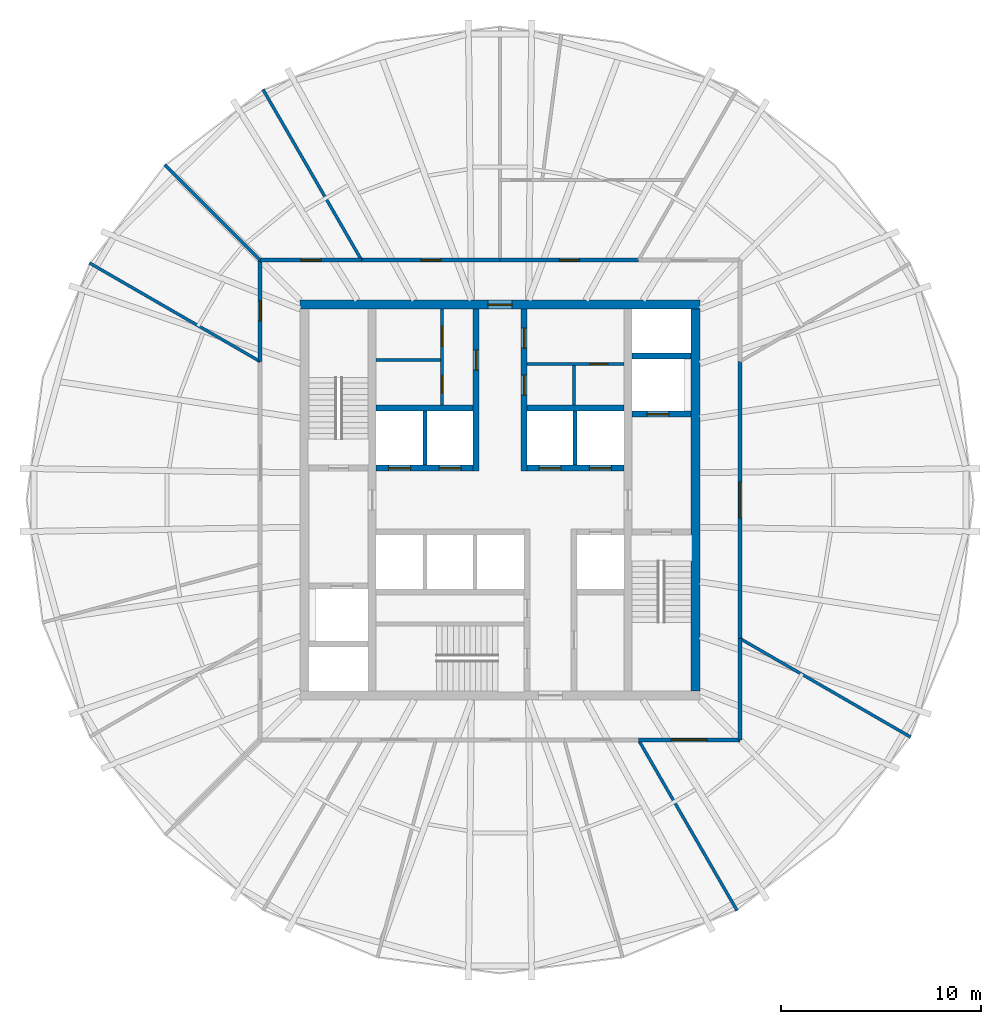
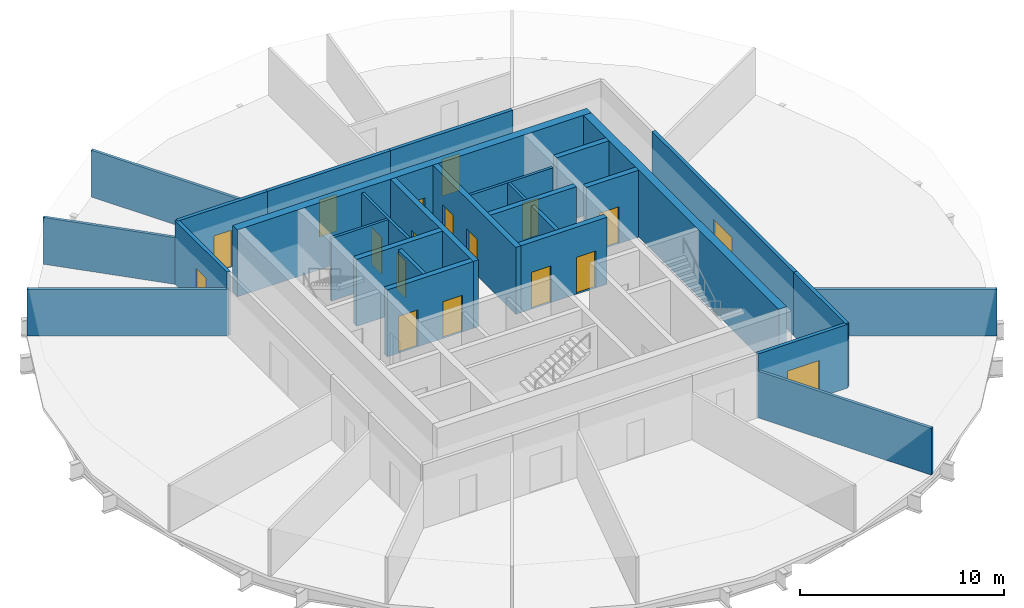
# One storey, part 4 of 6: 28 walls, 18 doors, 18 openings.
"""IFC4 building model written with IfcOpenShell, lengths in metres."""

import ifcopenshell
import ifcopenshell.guid

model = None  # the IFC model being written
_history = None  # IfcOwnerHistory: only IFC2X3 demands one
_inside = {}  # id of a spatial element -> (the spatial element, [elements in it])
_under = {}  # id of a project, library or spatial element -> (it, [spatial elements below it])
_declared = {}  # id of a project -> (the project, [libraries it declares])
_typed = {}  # id of a type object -> (the type object, [elements of that type])
_made_of = {}  # id of a material, layer set ... -> (it, [elements and type objects made of it])


def new_model(schema):
    """Start an empty IFC model of exactly this schema.

    Asked for "IFC4X3", IfcOpenShell would pick the latest addendum, in which some entities
    have other attributes; the version numbers below select the first issue.
    IFC2X3 requires an IfcOwnerHistory on every rooted entity: one is made here for all.
    """
    global model, _history
    if schema == "IFC4X3":
        model = ifcopenshell.file(schema_version=(4, 3, 0, 0))
    else:
        model = ifcopenshell.file(schema=schema)
    _inside.clear()
    _under.clear()
    _declared.clear()
    _typed.clear()
    _made_of.clear()
    _history = None
    if model.schema == "IFC2X3":
        org = make("IfcOrganization", Name="unknown")
        user = make(
            "IfcPersonAndOrganization",
            ThePerson=make("IfcPerson", FamilyName="unknown"),
            TheOrganization=org,
        )
        app = make(
            "IfcApplication",
            ApplicationDeveloper=org,
            Version="unknown",
            ApplicationFullName="unknown",
            ApplicationIdentifier="unknown",
        )
        _history = make(
            "IfcOwnerHistory",
            OwningUser=user,
            OwningApplication=app,
            ChangeAction="ADDED",
            CreationDate=0,
        )
    return model


def make(cls, **values):
    """One entity of the class cls with the attributes given. An attribute that is None is left unset."""
    return model.create_entity(
        cls, **{name: value for name, value in values.items() if value is not None}
    )


def rooted(cls, **values):
    """An entity with a GlobalId (a new one), such as an element, a storey or a relation."""
    return make(cls, GlobalId=ifcopenshell.guid.new(), OwnerHistory=_history, **values)


def si_unit(unit_type, name, prefix=None):
    """IfcSIUnit, for example si_unit("LENGTHUNIT", "METRE", prefix="MILLI")."""
    return make("IfcSIUnit", UnitType=unit_type, Prefix=prefix, Name=name)


def assignment(units):
    """IfcUnitAssignment: the units of a project."""
    return None if units is None else make("IfcUnitAssignment", Units=units)


def point(xyz):
    """IfcCartesianPoint."""
    return None if xyz is None else make("IfcCartesianPoint", Coordinates=xyz)


def direction(xyz):
    """IfcDirection."""
    return None if xyz is None else make("IfcDirection", DirectionRatios=xyz)


def frame(location, z_axis=None, x_axis=None):
    """IfcAxis2Placement3D, a coordinate frame: its origin and axes. An axis left out is left unset."""
    return make(
        "IfcAxis2Placement3D",
        Location=point(location),
        Axis=direction(z_axis),
        RefDirection=direction(x_axis),
    )


def frame_2d(location, x_axis=None):
    """IfcAxis2Placement2D, a coordinate frame in the plane: its origin and x axis."""
    return make(
        "IfcAxis2Placement2D", Location=point(location), RefDirection=direction(x_axis)
    )


def origin():
    """The frame at (0, 0, 0) with its axes left unset."""
    return frame((0.0, 0.0, 0.0))


def place(relative_to, where):
    """IfcLocalPlacement: puts the frame where relative to a parent placement (None: the world)."""
    return make(
        "IfcLocalPlacement", PlacementRelTo=relative_to, RelativePlacement=where
    )


def context(
    kind, dimensions, precision=None, world=None, true_north=None, identifier=None
):
    """IfcGeometricRepresentationContext, for example the 3D "Model" context."""
    return make(
        "IfcGeometricRepresentationContext",
        ContextIdentifier=identifier,
        ContextType=kind,
        CoordinateSpaceDimension=dimensions,
        Precision=precision,
        WorldCoordinateSystem=world,
        TrueNorth=true_north,
    )


def subcontext(parent, identifier, kind, view, scale=None):
    """IfcGeometricRepresentationSubContext, for example "Body" below "Model"."""
    return make(
        "IfcGeometricRepresentationSubContext",
        ContextIdentifier=identifier,
        ContextType=kind,
        ParentContext=parent,
        TargetScale=scale,
        TargetView=view,
    )


def project(units=None, contexts=None):
    """IfcProject with its units and contexts."""
    return rooted(
        "IfcProject",
        Name="project",
        RepresentationContexts=contexts,
        UnitsInContext=assignment(units),
    )


def spatial(cls, under=None, at=None, **own):
    """A site, building, storey or space (cls), placed at a placement, below another one or the project."""
    s = rooted(cls, ObjectPlacement=at, **own)
    if under is not None:
        _under.setdefault(under.id(), (under, []))[1].append(s)
    return s


def profile(cls, at=None, kind="AREA", **sizes):
    """A parametric profile (cls). Its sizes go by their IFC names, for example OverallWidth=200.0."""
    return make(cls, ProfileType=kind, Position=at, **sizes)


def rectangle(**sizes):
    """IfcRectangleProfileDef."""
    return profile("IfcRectangleProfileDef", **sizes)


def extrude(swept, where, along, depth):
    """IfcExtrudedAreaSolid: the profile swept, set in the frame where, extruded along a direction by depth."""
    return make(
        "IfcExtrudedAreaSolid",
        SweptArea=swept,
        Position=where,
        ExtrudedDirection=direction(along),
        Depth=depth,
    )


def shape(context_of_items, identifier, shape_type, items):
    """IfcShapeRepresentation: the items that make up one representation, for example the "Body"."""
    return make(
        "IfcShapeRepresentation",
        ContextOfItems=context_of_items,
        RepresentationIdentifier=identifier,
        RepresentationType=shape_type,
        Items=items,
    )


def material(Name=None, Category=None):
    """IfcMaterial."""
    return make("IfcMaterial", Name=Name, Category=Category)


def layer(
    of_material, thickness, ventilated=None, Name=None, Category=None, Priority=None
):
    """IfcMaterialLayer: one layer of a wall or slab, of a material (None: an air gap)."""
    return make(
        "IfcMaterialLayer",
        Material=of_material,
        LayerThickness=thickness,
        IsVentilated=ventilated,
        Name=Name,
        Category=Category,
        Priority=Priority,
    )


def layer_set(layers, Name=None):
    """IfcMaterialLayerSet."""
    return make("IfcMaterialLayerSet", MaterialLayers=layers, LayerSetName=Name)


def made_of(thing, what):
    """Note that an element or type object is made of a material, layer set ...; save() writes the relation."""
    if what is not None:
        _made_of.setdefault(what.id(), (what, []))[1].append(thing)
    return thing


def type_object(cls, material=None, **own):
    """A type object (cls), such as IfcWallType, which elements share."""
    return made_of(rooted(cls, **own), material)


def element(
    cls,
    number,
    at=None,
    inside=None,
    cuts=None,
    type_object=None,
    material=None,
    context=None,
    identifier="Body",
    shape_type=None,
    held_by="IfcProductDefinitionShape",
    body=None,
    shapes=None,
    **own,
):
    """One element of the class cls, such as IfcWall. Its Tag is "e" and its number.

    at: its placement. inside: the storey or other place that contains it. cuts: it is an
    opening in that element (IfcRelVoidsElement). A single representation is given by context,
    identifier, shape_type and body (its items); several are given by shapes. held_by: the class
    of the entity that holds the representations. save() writes the other relations.
    """
    e = rooted(cls, Tag="e%d" % number, ObjectPlacement=at, **own)
    if body is not None:
        shapes = [shape(context, identifier, shape_type, body)]
    if shapes is not None:
        e.Representation = make(held_by, Representations=shapes)
    if inside is not None:
        _inside.setdefault(inside.id(), (inside, []))[1].append(e)
    if cuts is not None:
        rooted(
            "IfcRelVoidsElement", RelatingBuildingElement=cuts, RelatedOpeningElement=e
        )
    if type_object is not None:
        _typed.setdefault(type_object.id(), (type_object, []))[1].append(e)
    return made_of(e, material)


def fill(opening, filler):
    """IfcRelFillsElement: the door or window that sits in an opening."""
    return rooted(
        "IfcRelFillsElement",
        RelatingOpeningElement=opening,
        RelatedBuildingElement=filler,
    )


def aggregate(whole, parts):
    """IfcRelAggregates: a whole, such as a stair, and the parts it consists of."""
    return rooted("IfcRelAggregates", RelatingObject=whole, RelatedObjects=parts)


def save(model, path):
    """Write the relations noted so far, then the file.

    IfcRelAggregates (storeys below a building ...), IfcRelContainedInSpatialStructure (elements
    in a storey), IfcRelDefinesByType, IfcRelAssociatesMaterial and IfcRelDeclares: one each for
    every whole, place, type object, material and project.
    """
    for whole, parts in _under.values():
        aggregate(whole, parts)
    for where, things in _inside.values():
        rooted(
            "IfcRelContainedInSpatialStructure",
            RelatedElements=things,
            RelatingStructure=where,
        )
    for kind, things in _typed.values():
        rooted("IfcRelDefinesByType", RelatedObjects=things, RelatingType=kind)
    for what, things in _made_of.values():
        rooted("IfcRelAssociatesMaterial", RelatedObjects=things, RelatingMaterial=what)
    for by, libraries in _declared.values():
        rooted("IfcRelDeclares", RelatingContext=by, RelatedDefinitions=libraries)
    model.write(path)


model = new_model("IFC4")

# Units and contexts
model_context = context("Model", 3, precision=1e-05, world=origin(), true_north=direction((0.0, 1.0)))
body_context = subcontext(model_context, "Body", "Model", "MODEL_VIEW")
ifc_project = project(units=[si_unit("LENGTHUNIT", "METRE"), si_unit("AREAUNIT", "SQUARE_METRE"), si_unit("VOLUMEUNIT", "CUBIC_METRE"), si_unit("PLANEANGLEUNIT", "RADIAN"), si_unit("MASSUNIT", "GRAM", prefix="KILO")], contexts=[model_context])

# Site, building, storey
site_placement = place(None, origin())
site = spatial("IfcSite", under=ifc_project, at=site_placement, CompositionType="ELEMENT")
building_placement = place(site_placement, origin())
building = spatial("IfcBuilding", under=site, at=building_placement, Name="Golbaran Civic Tower", CompositionType="ELEMENT")
storey_placement = place(building_placement, frame((0.0, 0.0, 187.0)))
storey = spatial("IfcBuildingStorey", under=building, at=storey_placement, Name="L45", CompositionType="ELEMENT", Elevation=187.0)

# Wall, opening, door
ifc_material_1 = material(Name="Concrete block", Category="concrete")
ifc_layer_1 = layer(ifc_material_1, 0.14990234375, Name="Concrete block")
ifc_layer_set_1 = layer_set([ifc_layer_1], Name="Concrete block")
wall_type_1 = type_object("IfcWallType", Name="BLOCKWORK PARTITION 150", PredefinedType="PARTITIONING", material=ifc_layer_set_1)
wall_1_placement = place(storey_placement, frame((1.35009765625, 6.800048828125, 0.0), z_axis=(0.0, 0.0, 1.0), x_axis=(1.0, 0.0, 0.0)))
wall_1 = element("IfcWall", 1, at=wall_1_placement, inside=storey, type_object=wall_type_1, Name="Toilet block partition TN1 L45", PredefinedType="PARTITIONING", context=body_context, shape_type="SweptSolid", body=[
    extrude(rectangle(XDim=4.849853515625, YDim=0.14990234375, at=frame_2d((2.4248046875, 0.0))), origin(), (0.0, 0.0, 1.0), 3.75),
])
opening_1_placement = place(wall_1_placement, frame((3.14990234375, 0.0, 0.0)))
opening_1 = element("IfcOpeningElement", 2, at=opening_1_placement, cuts=wall_1, Name="Opening L45.CLN", PredefinedType="OPENING", context=body_context, shape_type="SweptSolid", body=[
    extrude(rectangle(XDim=0.89990234375, YDim=2.199951171875, at=frame_2d((0.449951171875, 1.10009765625))), frame((0.0, 0.0849609375, 0.0), z_axis=(0.0, -1.0, 0.0), x_axis=(1.0, 0.0, 0.0)), (0.0, 0.0, 1.0), 0.169921875),
])
ifc_material_2 = material(Name="Timber door set in steel frame", Category="steel")
door_type_1 = type_object("IfcDoorType", Name="RISER DOOR 900x2200", OperationType="SINGLE_SWING_LEFT", PredefinedType="DOOR", material=ifc_material_2)
door_1_placement = place(opening_1_placement, origin())
door_1 = element("IfcDoor", 3, at=door_1_placement, inside=storey, type_object=door_type_1, Name="Floor Store door", OperationType="SINGLE_SWING_RIGHT", OverallHeight=2.199951171875, OverallWidth=0.89990234375, PredefinedType="DOOR", context=body_context, shape_type="SweptSolid", body=[
    extrude(rectangle(XDim=0.89990234375, YDim=2.199951171875, at=frame_2d((0.449951171875, 1.10009765625))), frame((0.0, 0.02490234375, 0.0), z_axis=(0.0, -1.0, 0.0), x_axis=(1.0, 0.0, 0.0)), (0.0, 0.0, 1.0), 0.050048828125),
])
fill(opening_1, door_1)

# Wall
wall_2_placement = place(storey_placement, frame((3.699951171875, 4.75, 0.0), z_axis=(0.0, 0.0, 1.0), x_axis=(0.0, 1.0, 0.0)))
element("IfcWall", 4, at=wall_2_placement, inside=storey, type_object=wall_type_1, Name="Toilet block partition TN2 L45", PredefinedType="PARTITIONING", context=body_context, shape_type="SweptSolid", body=[
    extrude(rectangle(XDim=1.97509765625, YDim=0.14990234375, at=frame_2d((0.987548828125, 0.0))), origin(), (0.0, 0.0, 1.0), 3.75),
])

# Wall, opening, door
ifc_material_3 = material(Name="Concrete C50/60", Category="concrete")
ifc_layer_2 = layer(ifc_material_3, 0.449951171875, Name="Concrete C50/60")
ifc_layer_set_2 = layer_set([ifc_layer_2], Name="Concrete C50/60")
wall_type_2 = type_object("IfcWallType", Name="CORE WALL CONCRETE 450", PredefinedType="SOLIDWALL", material=ifc_layer_set_2)
wall_3_placement = place(storey_placement, frame((-10.0, 9.77490234375, 0.0), z_axis=(0.0, 0.0, 1.0), x_axis=(1.0, 0.0, 0.0)))
wall_3 = element("IfcWall", 5, at=wall_3_placement, inside=storey, type_object=wall_type_2, Name="Core wall CN L45", PredefinedType="SOLIDWALL", context=body_context, shape_type="SweptSolid", body=[
    extrude(rectangle(XDim=20.0, YDim=0.449951171875, at=frame_2d((10.0, 0.0))), origin(), (0.0, 0.0, 1.0), 4.0),
])
opening_2_placement = place(wall_3_placement, frame((9.39990234375, 0.0, 0.0)))
opening_2 = element("IfcOpeningElement", 6, at=opening_2_placement, cuts=wall_3, Name="Opening L45.CN", PredefinedType="OPENING", context=body_context, shape_type="SweptSolid", body=[
    extrude(rectangle(XDim=1.199951171875, YDim=2.199951171875, at=frame_2d((0.60009765625, 1.10009765625))), frame((0.0, 0.23486328125, 0.0), z_axis=(0.0, -1.0, 0.0), x_axis=(1.0, 0.0, 0.0)), (0.0, 0.0, 1.0), 0.469970703125),
])
door_type_2 = type_object("IfcDoorType", Name="CORE DOOR 1200x2200", OperationType="DOUBLE_DOOR_SINGLE_SWING", PredefinedType="DOOR", material=ifc_material_2)
door_2_placement = place(opening_2_placement, origin())
door_2 = element("IfcDoor", 7, at=door_2_placement, inside=storey, type_object=door_type_2, Name="Core door north", OperationType="DOUBLE_DOOR_SINGLE_SWING", OverallHeight=2.199951171875, OverallWidth=1.199951171875, PredefinedType="DOOR", context=body_context, shape_type="SweptSolid", body=[
    extrude(rectangle(XDim=1.199951171875, YDim=2.199951171875, at=frame_2d((0.60009765625, 1.10009765625))), frame((0.0, 0.02490234375, 0.0), z_axis=(0.0, -1.0, 0.0), x_axis=(1.0, 0.0, 0.0)), (0.0, 0.0, 1.0), 0.050048828125),
])
fill(opening_2, door_2)

# Wall
wall_4_placement = place(storey_placement, frame((9.77490234375, -9.550048828125, 0.0), z_axis=(0.0, 0.0, 1.0), x_axis=(0.0, 1.0, 0.0)))
element("IfcWall", 8, at=wall_4_placement, inside=storey, type_object=wall_type_2, Name="Core wall CE L45", PredefinedType="SOLIDWALL", context=body_context, shape_type="SweptSolid", body=[
    extrude(rectangle(XDim=19.10009765625, YDim=0.449951171875, at=frame_2d((9.550048828125, 0.0))), origin(), (0.0, 0.0, 1.0), 4.0),
])

# Wall, opening, door
ifc_material_4 = material(Name="Gypsum board on steel studs, fire-rated", Category="steel")
ifc_layer_3 = layer(ifc_material_4, 0.199951171875, Name="Gypsum board on steel studs, fire-rated")
ifc_layer_set_3 = layer_set([ifc_layer_3], Name="Gypsum board on steel studs, fire-rated")
wall_type_3 = type_object("IfcWallType", Name="CORRIDOR WALL 200", PredefinedType="PARTITIONING", material=ifc_layer_set_3)
wall_5_placement = place(storey_placement, frame((12.0, -6.92822265625, 0.0), z_axis=(0.0, 0.0, 1.0), x_axis=(0.0, 1.0, 0.0)))
wall_5 = element("IfcWall", 9, at=wall_5_placement, inside=storey, type_object=wall_type_3, Name="Corridor wall L45", PredefinedType="PARTITIONING", context=body_context, shape_type="SweptSolid", body=[
    extrude(rectangle(XDim=13.8564453125, YDim=0.199951171875, at=frame_2d((6.92822265625, 0.0))), origin(), (0.0, 0.0, 1.0), 3.800048828125),
])
opening_3_placement = place(wall_5_placement, frame((6.0283203125, 0.0, 0.0)))
opening_3 = element("IfcOpeningElement", 10, at=opening_3_placement, cuts=wall_5, Name="Opening L45.04", PredefinedType="OPENING", context=body_context, shape_type="SweptSolid", body=[
    extrude(rectangle(XDim=1.800048828125, YDim=2.199951171875, at=frame_2d((0.89990234375, 1.10009765625))), frame((0.0, 0.10986328125, 0.0), z_axis=(0.0, -1.0, 0.0), x_axis=(1.0, 0.0, 0.0)), (0.0, 0.0, 1.0), 0.219970703125),
])
door_type_3 = type_object("IfcDoorType", Name="OFFICE DOUBLE DOOR 1800x2200", OperationType="DOUBLE_DOOR_SINGLE_SWING", PredefinedType="DOOR", material=ifc_material_2)
door_3_placement = place(opening_3_placement, origin())
door_3 = element("IfcDoor", 11, at=door_3_placement, inside=storey, type_object=door_type_3, Name="Open Office door L45", OperationType="DOUBLE_DOOR_SINGLE_SWING", OverallHeight=2.199951171875, OverallWidth=1.800048828125, PredefinedType="DOOR", context=body_context, shape_type="SweptSolid", body=[
    extrude(rectangle(XDim=1.800048828125, YDim=2.199951171875, at=frame_2d((0.89990234375, 1.10009765625))), frame((0.0, 0.02490234375, 0.0), z_axis=(0.0, -1.0, 0.0), x_axis=(1.0, 0.0, 0.0)), (0.0, 0.0, 1.0), 0.050048828125),
])
fill(opening_3, door_3)

wall_6_placement = place(storey_placement, frame((6.92822265625, 12.0, 0.0), z_axis=(0.0, 0.0, 1.0), x_axis=(-1.0, 0.0, 0.0)))
wall_6 = element("IfcWall", 12, at=wall_6_placement, inside=storey, type_object=wall_type_3, Name="Corridor wall L45", PredefinedType="PARTITIONING", context=body_context, shape_type="SweptSolid", body=[
    extrude(rectangle(XDim=6.92822265625, YDim=0.199951171875, at=frame_2d((3.464111328125, 0.0))), origin(), (0.0, 0.0, 1.0), 3.800048828125),
])
opening_4_placement = place(wall_6_placement, frame((2.964111328125, 0.0, 0.0)))
opening_4 = element("IfcOpeningElement", 13, at=opening_4_placement, cuts=wall_6, Name="Opening L45.06", PredefinedType="OPENING", context=body_context, shape_type="SweptSolid", body=[
    extrude(rectangle(XDim=1.0, YDim=2.199951171875, at=frame_2d((0.5, 1.10009765625))), frame((0.0, 0.10986328125, 0.0), z_axis=(0.0, -1.0, 0.0), x_axis=(1.0, 0.0, 0.0)), (0.0, 0.0, 1.0), 0.219970703125),
])
door_type_4 = type_object("IfcDoorType", Name="OFFICE DOOR 1000x2200", OperationType="SINGLE_SWING_LEFT", PredefinedType="DOOR", material=ifc_material_2)
door_4_placement = place(opening_4_placement, origin())
door_4 = element("IfcDoor", 14, at=door_4_placement, inside=storey, type_object=door_type_4, Name="Waiting Area door L45", OperationType="SINGLE_SWING_RIGHT", OverallHeight=2.199951171875, OverallWidth=1.0, PredefinedType="DOOR", context=body_context, shape_type="SweptSolid", body=[
    extrude(rectangle(XDim=1.0, YDim=2.199951171875, at=frame_2d((0.5, 1.10009765625))), frame((0.0, 0.02490234375, 0.0), z_axis=(0.0, -1.0, 0.0), x_axis=(1.0, 0.0, 0.0)), (0.0, 0.0, 1.0), 0.050048828125),
])
fill(opening_4, door_4)

wall_7_placement = place(storey_placement, frame((0.0, 12.0, 0.0), z_axis=(0.0, 0.0, 1.0), x_axis=(-1.0, 0.0, 0.0)))
wall_7 = element("IfcWall", 15, at=wall_7_placement, inside=storey, type_object=wall_type_3, Name="Corridor wall L45", PredefinedType="PARTITIONING", context=body_context, shape_type="SweptSolid", body=[
    extrude(rectangle(XDim=6.92822265625, YDim=0.199951171875, at=frame_2d((3.464111328125, 0.0))), origin(), (0.0, 0.0, 1.0), 3.800048828125),
])
opening_5_placement = place(wall_7_placement, frame((2.964111328125, 0.0, 0.0)))
opening_5 = element("IfcOpeningElement", 16, at=opening_5_placement, cuts=wall_7, Name="Opening L45.07", PredefinedType="OPENING", context=body_context, shape_type="SweptSolid", body=[
    extrude(rectangle(XDim=1.0, YDim=2.199951171875, at=frame_2d((0.5, 1.10009765625))), frame((0.0, 0.10986328125, 0.0), z_axis=(0.0, -1.0, 0.0), x_axis=(1.0, 0.0, 0.0)), (0.0, 0.0, 1.0), 0.219970703125),
])
door_5_placement = place(opening_5_placement, origin())
door_5 = element("IfcDoor", 17, at=door_5_placement, inside=storey, type_object=door_type_4, Name="Project Room door L45", OperationType="SINGLE_SWING_RIGHT", OverallHeight=2.199951171875, OverallWidth=1.0, PredefinedType="DOOR", context=body_context, shape_type="SweptSolid", body=[
    extrude(rectangle(XDim=1.0, YDim=2.199951171875, at=frame_2d((0.5, 1.10009765625))), frame((0.0, 0.02490234375, 0.0), z_axis=(0.0, -1.0, 0.0), x_axis=(1.0, 0.0, 0.0)), (0.0, 0.0, 1.0), 0.050048828125),
])
fill(opening_5, door_5)

wall_8_placement = place(storey_placement, frame((-6.92822265625, 12.0, 0.0), z_axis=(0.0, 0.0, 1.0), x_axis=(-1.0, 0.0, 0.0)))
wall_8 = element("IfcWall", 18, at=wall_8_placement, inside=storey, type_object=wall_type_3, Name="Corridor wall L45", PredefinedType="PARTITIONING", context=body_context, shape_type="SweptSolid", body=[
    extrude(rectangle(XDim=5.07177734375, YDim=0.199951171875, at=frame_2d((2.535888671875, 0.0))), origin(), (0.0, 0.0, 1.0), 3.800048828125),
])
opening_6_placement = place(wall_8_placement, frame((2.035888671875, 0.0, 0.0)))
opening_6 = element("IfcOpeningElement", 19, at=opening_6_placement, cuts=wall_8, Name="Opening L45.08", PredefinedType="OPENING", context=body_context, shape_type="SweptSolid", body=[
    extrude(rectangle(XDim=1.0, YDim=2.199951171875, at=frame_2d((0.5, 1.10009765625))), frame((0.0, 0.10986328125, 0.0), z_axis=(0.0, -1.0, 0.0), x_axis=(1.0, 0.0, 0.0)), (0.0, 0.0, 1.0), 0.219970703125),
])
door_6_placement = place(opening_6_placement, origin())
door_6 = element("IfcDoor", 20, at=door_6_placement, inside=storey, type_object=door_type_4, Name="Office door L45", OperationType="SINGLE_SWING_RIGHT", OverallHeight=2.199951171875, OverallWidth=1.0, PredefinedType="DOOR", context=body_context, shape_type="SweptSolid", body=[
    extrude(rectangle(XDim=1.0, YDim=2.199951171875, at=frame_2d((0.5, 1.10009765625))), frame((0.0, 0.02490234375, 0.0), z_axis=(0.0, -1.0, 0.0), x_axis=(1.0, 0.0, 0.0)), (0.0, 0.0, 1.0), 0.050048828125),
])
fill(opening_6, door_6)

wall_9_placement = place(storey_placement, frame((-12.0, 12.0, 0.0), z_axis=(0.0, 0.0, 1.0), x_axis=(0.0, -1.0, 0.0)))
wall_9 = element("IfcWall", 21, at=wall_9_placement, inside=storey, type_object=wall_type_3, Name="Corridor wall L45", PredefinedType="PARTITIONING", context=body_context, shape_type="SweptSolid", body=[
    extrude(rectangle(XDim=5.07177734375, YDim=0.199951171875, at=frame_2d((2.535888671875, 0.0))), origin(), (0.0, 0.0, 1.0), 3.800048828125),
])
opening_7_placement = place(wall_9_placement, frame((2.035888671875, 0.0, 0.0)))
opening_7 = element("IfcOpeningElement", 22, at=opening_7_placement, cuts=wall_9, Name="Opening L45.09", PredefinedType="OPENING", context=body_context, shape_type="SweptSolid", body=[
    extrude(rectangle(XDim=1.0, YDim=2.199951171875, at=frame_2d((0.5, 1.10009765625))), frame((0.0, 0.10986328125, 0.0), z_axis=(0.0, -1.0, 0.0), x_axis=(1.0, 0.0, 0.0)), (0.0, 0.0, 1.0), 0.219970703125),
])
door_7_placement = place(opening_7_placement, origin())
door_7 = element("IfcDoor", 23, at=door_7_placement, inside=storey, type_object=door_type_4, Name="Store door L45", OperationType="SINGLE_SWING_RIGHT", OverallHeight=2.199951171875, OverallWidth=1.0, PredefinedType="DOOR", context=body_context, shape_type="SweptSolid", body=[
    extrude(rectangle(XDim=1.0, YDim=2.199951171875, at=frame_2d((0.5, 1.10009765625))), frame((0.0, 0.02490234375, 0.0), z_axis=(0.0, -1.0, 0.0), x_axis=(1.0, 0.0, 0.0)), (0.0, 0.0, 1.0), 0.050048828125),
])
fill(opening_7, door_7)

wall_10_placement = place(storey_placement, frame((6.92822265625, -12.0, 0.0), z_axis=(0.0, 0.0, 1.0), x_axis=(1.0, 0.0, 0.0)))
wall_10 = element("IfcWall", 24, at=wall_10_placement, inside=storey, type_object=wall_type_3, Name="Corridor wall L45", PredefinedType="PARTITIONING", context=body_context, shape_type="SweptSolid", body=[
    extrude(rectangle(XDim=5.07177734375, YDim=0.199951171875, at=frame_2d((2.535888671875, 0.0))), origin(), (0.0, 0.0, 1.0), 3.800048828125),
])
opening_8_placement = place(wall_10_placement, frame((1.635986328125, 0.0, 0.0)))
opening_8 = element("IfcOpeningElement", 25, at=opening_8_placement, cuts=wall_10, Name="Opening L45.17", PredefinedType="OPENING", context=body_context, shape_type="SweptSolid", body=[
    extrude(rectangle(XDim=1.800048828125, YDim=2.199951171875, at=frame_2d((0.89990234375, 1.10009765625))), frame((0.0, 0.10986328125, 0.0), z_axis=(0.0, -1.0, 0.0), x_axis=(1.0, 0.0, 0.0)), (0.0, 0.0, 1.0), 0.219970703125),
])
door_8_placement = place(opening_8_placement, origin())
door_8 = element("IfcDoor", 26, at=door_8_placement, inside=storey, type_object=door_type_3, Name="Open Office door L45", OperationType="DOUBLE_DOOR_SINGLE_SWING", OverallHeight=2.199951171875, OverallWidth=1.800048828125, PredefinedType="DOOR", context=body_context, shape_type="SweptSolid", body=[
    extrude(rectangle(XDim=1.800048828125, YDim=2.199951171875, at=frame_2d((0.89990234375, 1.10009765625))), frame((0.0, 0.02490234375, 0.0), z_axis=(0.0, -1.0, 0.0), x_axis=(1.0, 0.0, 0.0)), (0.0, 0.0, 1.0), 0.050048828125),
])
fill(opening_8, door_8)

# Walls
wall_11_placement = place(storey_placement, frame((12.0, -12.0, 0.0), z_axis=(0.0, 0.0, 1.0), x_axis=(0.0, 1.0, 0.0)))
element("IfcWall", 27, at=wall_11_placement, inside=storey, type_object=wall_type_3, Name="Corridor wall L45", PredefinedType="PARTITIONING", context=body_context, shape_type="SweptSolid", body=[
    extrude(rectangle(XDim=5.07177734375, YDim=0.199951171875, at=frame_2d((2.535888671875, 0.0))), origin(), (0.0, 0.0, 1.0), 3.800048828125),
])
ifc_layer_4 = layer(ifc_material_1, 0.199951171875, Name="Concrete block")
ifc_layer_set_4 = layer_set([ifc_layer_4], Name="Concrete block")
wall_type_4 = type_object("IfcWallType", Name="LIFT SEPARATOR WALL 200", PredefinedType="SOLIDWALL", material=ifc_layer_set_4)
for number, where, z_axis, x_axis, name in (
    (28, (-3.75, 1.75, 0.0), (0.0, 0.0, 1.0), (0.0, 1.0, 0.0), "Core partition SNW L45"),
    (29, (3.75, 1.75, 0.0), (0.0, 0.0, 1.0), (0.0, 1.0, 0.0), "Core partition SNE L45"),
):
    element("IfcWall", number, at=place(storey_placement, frame(where, z_axis=z_axis, x_axis=x_axis)), inside=storey, type_object=wall_type_4, Name=name, PredefinedType="SOLIDWALL", context=body_context, shape_type="SweptSolid", body=[
        extrude(rectangle(XDim=2.699951171875, YDim=0.199951171875, at=frame_2d((1.35009765625, 0.0))), origin(), (0.0, 0.0, 1.0), 3.75),
    ])
ifc_material_5 = material(Name="Gypsum board on steel studs", Category="steel")
ifc_layer_5 = layer(ifc_material_5, 0.14990234375, Name="Gypsum board on steel studs")
ifc_layer_set_5 = layer_set([ifc_layer_5], Name="Gypsum board on steel studs")
wall_type_5 = type_object("IfcWallType", Name="OFFICE PARTITION 150", PredefinedType="PARTITIONING", material=ifc_layer_set_5)
for number, where, z_axis, x_axis, name in (
    (30, (12.0, -6.92822265625, 0.0), (0.0, 0.0, 1.0), (0.866027739639, -0.49999595416, 0.0), "Partition 330 L45"),
    (31, (-6.92822265625, 12.0, 0.0), (0.0, 0.0, 1.0), (-0.49999595416, 0.866027739639, 0.0), "Partition 120 L45"),
):
    element("IfcWall", number, at=place(storey_placement, frame(where, z_axis=z_axis, x_axis=x_axis)), inside=storey, type_object=wall_type_5, Name=name, PredefinedType="PARTITIONING", context=body_context, shape_type="SweptSolid", body=[
        extrude(rectangle(XDim=9.86474609375, YDim=0.14990234375, at=frame_2d((4.932373046875, 0.0))), origin(), (0.0, 0.0, 1.0), 2.7900390625),
    ])
wall_12_placement = place(storey_placement, frame((-12.0, 12.0, 0.0), z_axis=(0.0, 0.0, 1.0), x_axis=(-0.707106781187, 0.707106781187, 0.0)))
element("IfcWall", 32, at=wall_12_placement, inside=storey, type_object=wall_type_5, Name="Partition 135 L45", PredefinedType="PARTITIONING", context=body_context, shape_type="SweptSolid", body=[
    extrude(rectangle(XDim=6.750732421875, YDim=0.14990234375, at=frame_2d((3.37548828125, 0.0))), origin(), (0.0, 0.0, 1.0), 2.7900390625),
])
for number, where, z_axis, x_axis, name in (
    (33, (-12.0, 6.92822265625, 0.0), (0.0, 0.0, 1.0), (-0.866027739639, 0.49999595416, 0.0), "Partition 150 L45"),
    (34, (6.92822265625, -12.0, 0.0), (0.0, 0.0, 1.0), (0.49999595416, -0.866027739639, 0.0), "Partition 300 L45"),
):
    element("IfcWall", number, at=place(storey_placement, frame(where, z_axis=z_axis, x_axis=x_axis)), inside=storey, type_object=wall_type_5, Name=name, PredefinedType="PARTITIONING", context=body_context, shape_type="SweptSolid", body=[
        extrude(rectangle(XDim=9.86474609375, YDim=0.14990234375, at=frame_2d((4.932373046875, 0.0))), origin(), (0.0, 0.0, 1.0), 2.7900390625),
    ])

# Wall, openings, doors
ifc_layer_6 = layer(ifc_material_3, 0.300048828125, Name="Concrete C50/60")
ifc_layer_set_6 = layer_set([ifc_layer_6], Name="Concrete C50/60")
wall_type_6 = type_object("IfcWallType", Name="SHAFT WALL CONCRETE 300", PredefinedType="SOLIDWALL", material=ifc_layer_set_6)
wall_13_placement = place(storey_placement, frame((-6.199951171875, 1.60009765625, 0.0), z_axis=(0.0, 0.0, 1.0), x_axis=(1.0, 0.0, 0.0)))
wall_13 = element("IfcWall", 35, at=wall_13_placement, inside=storey, type_object=wall_type_6, Name="Core wall FNW L45", PredefinedType="SOLIDWALL", context=body_context, shape_type="SweptSolid", body=[
    extrude(rectangle(XDim=4.849853515625, YDim=0.300048828125, at=frame_2d((2.4248046875, 0.0))), origin(), (0.0, 0.0, 1.0), 4.0),
])
opening_9_placement = place(wall_13_placement, frame((0.625, 0.0, 0.0)))
opening_9 = element("IfcOpeningElement", 36, at=opening_9_placement, cuts=wall_13, Name="Opening L45.LD-Z1H", PredefinedType="OPENING", context=body_context, shape_type="SweptSolid", body=[
    extrude(rectangle(XDim=1.10009765625, YDim=2.199951171875, at=frame_2d((0.550048828125, 1.10009765625))), frame((0.0, 0.159912109375, 0.0), z_axis=(0.0, -1.0, 0.0), x_axis=(1.0, 0.0, 0.0)), (0.0, 0.0, 1.0), 0.320068359375),
])
opening_10_placement = place(wall_13_placement, frame((3.14990234375, 0.0, 0.0)))
opening_10 = element("IfcOpeningElement", 37, at=opening_10_placement, cuts=wall_13, Name="Opening L45.LD-Z2H", PredefinedType="OPENING", context=body_context, shape_type="SweptSolid", body=[
    extrude(rectangle(XDim=1.10009765625, YDim=2.199951171875, at=frame_2d((0.550048828125, 1.10009765625))), frame((0.0, 0.159912109375, 0.0), z_axis=(0.0, -1.0, 0.0), x_axis=(1.0, 0.0, 0.0)), (0.0, 0.0, 1.0), 0.320068359375),
])
ifc_material_6 = material(Name="Stainless steel", Category="steel")
door_type_5 = type_object("IfcDoorType", Name="LIFT LANDING DOOR 1100x2200", OperationType="SLIDING_TO_LEFT", PredefinedType="DOOR", material=ifc_material_6)
door_9_placement = place(opening_9_placement, origin())
door_9 = element("IfcDoor", 38, at=door_9_placement, inside=storey, type_object=door_type_5, Name="Lift landing door Z1H", OperationType="SLIDING_TO_LEFT", OverallHeight=2.199951171875, OverallWidth=1.10009765625, PredefinedType="DOOR", context=body_context, shape_type="SweptSolid", body=[
    extrude(rectangle(XDim=1.10009765625, YDim=2.199951171875, at=frame_2d((0.550048828125, 1.10009765625))), frame((0.0, 0.02490234375, 0.0), z_axis=(0.0, -1.0, 0.0), x_axis=(1.0, 0.0, 0.0)), (0.0, 0.0, 1.0), 0.050048828125),
])
fill(opening_9, door_9)
door_10_placement = place(opening_10_placement, origin())
door_10 = element("IfcDoor", 39, at=door_10_placement, inside=storey, type_object=door_type_5, Name="Lift landing door Z2H", OperationType="SLIDING_TO_LEFT", OverallHeight=2.199951171875, OverallWidth=1.10009765625, PredefinedType="DOOR", context=body_context, shape_type="SweptSolid", body=[
    extrude(rectangle(XDim=1.10009765625, YDim=2.199951171875, at=frame_2d((0.550048828125, 1.10009765625))), frame((0.0, 0.02490234375, 0.0), z_axis=(0.0, -1.0, 0.0), x_axis=(1.0, 0.0, 0.0)), (0.0, 0.0, 1.0), 0.050048828125),
])
fill(opening_10, door_10)

wall_14_placement = place(storey_placement, frame((1.35009765625, 1.60009765625, 0.0), z_axis=(0.0, 0.0, 1.0), x_axis=(1.0, 0.0, 0.0)))
wall_14 = element("IfcWall", 40, at=wall_14_placement, inside=storey, type_object=wall_type_6, Name="Core wall FNE L45", PredefinedType="SOLIDWALL", context=body_context, shape_type="SweptSolid", body=[
    extrude(rectangle(XDim=4.849853515625, YDim=0.300048828125, at=frame_2d((2.4248046875, 0.0))), origin(), (0.0, 0.0, 1.0), 4.0),
])
opening_11_placement = place(wall_14_placement, frame((0.60009765625, 0.0, 0.0)))
opening_11 = element("IfcOpeningElement", 41, at=opening_11_placement, cuts=wall_14, Name="Opening L45.LD-Z3H", PredefinedType="OPENING", context=body_context, shape_type="SweptSolid", body=[
    extrude(rectangle(XDim=1.10009765625, YDim=2.199951171875, at=frame_2d((0.550048828125, 1.10009765625))), frame((0.0, 0.159912109375, 0.0), z_axis=(0.0, -1.0, 0.0), x_axis=(1.0, 0.0, 0.0)), (0.0, 0.0, 1.0), 0.320068359375),
])
opening_12_placement = place(wall_14_placement, frame((3.125, 0.0, 0.0)))
opening_12 = element("IfcOpeningElement", 42, at=opening_12_placement, cuts=wall_14, Name="Opening L45.LD-Z4H", PredefinedType="OPENING", context=body_context, shape_type="SweptSolid", body=[
    extrude(rectangle(XDim=1.10009765625, YDim=2.199951171875, at=frame_2d((0.550048828125, 1.10009765625))), frame((0.0, 0.159912109375, 0.0), z_axis=(0.0, -1.0, 0.0), x_axis=(1.0, 0.0, 0.0)), (0.0, 0.0, 1.0), 0.320068359375),
])
door_11_placement = place(opening_11_placement, origin())
door_11 = element("IfcDoor", 43, at=door_11_placement, inside=storey, type_object=door_type_5, Name="Lift landing door Z3H", OperationType="SLIDING_TO_LEFT", OverallHeight=2.199951171875, OverallWidth=1.10009765625, PredefinedType="DOOR", context=body_context, shape_type="SweptSolid", body=[
    extrude(rectangle(XDim=1.10009765625, YDim=2.199951171875, at=frame_2d((0.550048828125, 1.10009765625))), frame((0.0, 0.02490234375, 0.0), z_axis=(0.0, -1.0, 0.0), x_axis=(1.0, 0.0, 0.0)), (0.0, 0.0, 1.0), 0.050048828125),
])
fill(opening_11, door_11)
door_12_placement = place(opening_12_placement, origin())
door_12 = element("IfcDoor", 44, at=door_12_placement, inside=storey, type_object=door_type_5, Name="Lift landing door Z4H", OperationType="SLIDING_TO_LEFT", OverallHeight=2.199951171875, OverallWidth=1.10009765625, PredefinedType="DOOR", context=body_context, shape_type="SweptSolid", body=[
    extrude(rectangle(XDim=1.10009765625, YDim=2.199951171875, at=frame_2d((0.550048828125, 1.10009765625))), frame((0.0, 0.02490234375, 0.0), z_axis=(0.0, -1.0, 0.0), x_axis=(1.0, 0.0, 0.0)), (0.0, 0.0, 1.0), 0.050048828125),
])
fill(opening_12, door_12)

# Walls
for number, where, z_axis, x_axis, name in (
    (45, (-6.199951171875, 4.60009765625, 0.0), (0.0, 0.0, 1.0), (1.0, 0.0, 0.0), "Core wall BNW L45"),
    (46, (1.35009765625, 4.60009765625, 0.0), (0.0, 0.0, 1.0), (1.0, 0.0, 0.0), "Core wall BNE L45"),
):
    element("IfcWall", number, at=place(storey_placement, frame(where, z_axis=z_axis, x_axis=x_axis)), inside=storey, type_object=wall_type_6, Name=name, PredefinedType="SOLIDWALL", context=body_context, shape_type="SweptSolid", body=[
        extrude(rectangle(XDim=4.849853515625, YDim=0.300048828125, at=frame_2d((2.4248046875, 0.0))), origin(), (0.0, 0.0, 1.0), 4.0),
    ])

# Wall, opening, door
wall_15_placement = place(storey_placement, frame((-1.199951171875, 1.449951171875, 0.0), z_axis=(0.0, 0.0, 1.0), x_axis=(0.0, 1.0, 0.0)))
wall_15 = element("IfcWall", 47, at=wall_15_placement, inside=storey, type_object=wall_type_6, Name="Core wall PNW L45", PredefinedType="SOLIDWALL", context=body_context, shape_type="SweptSolid", body=[
    extrude(rectangle(XDim=8.10009765625, YDim=0.300048828125, at=frame_2d((4.050048828125, 0.0))), origin(), (0.0, 0.0, 1.0), 4.0),
])
opening_13_placement = place(wall_15_placement, frame((5.050048828125, 0.0, 0.0)))
opening_13 = element("IfcOpeningElement", 48, at=opening_13_placement, cuts=wall_15, Name="Opening L45.WCM", PredefinedType="OPENING", context=body_context, shape_type="SweptSolid", body=[
    extrude(rectangle(XDim=1.0, YDim=2.199951171875, at=frame_2d((0.5, 1.10009765625))), frame((0.0, 0.159912109375, 0.0), z_axis=(0.0, -1.0, 0.0), x_axis=(1.0, 0.0, 0.0)), (0.0, 0.0, 1.0), 0.320068359375),
])
door_type_6 = type_object("IfcDoorType", Name="TOILET DOOR 1000x2200", OperationType="SINGLE_SWING_LEFT", PredefinedType="DOOR", material=ifc_material_2)
door_13_placement = place(opening_13_placement, origin())
door_13 = element("IfcDoor", 49, at=door_13_placement, inside=storey, type_object=door_type_6, Name="North-west toilet block door", OperationType="SINGLE_SWING_RIGHT", OverallHeight=2.199951171875, OverallWidth=1.0, PredefinedType="DOOR", context=body_context, shape_type="SweptSolid", body=[
    extrude(rectangle(XDim=1.0, YDim=2.199951171875, at=frame_2d((0.5, 1.10009765625))), frame((0.0, 0.02490234375, 0.0), z_axis=(0.0, -1.0, 0.0), x_axis=(1.0, 0.0, 0.0)), (0.0, 0.0, 1.0), 0.050048828125),
])
fill(opening_13, door_13)

# Wall, openings, doors
wall_16_placement = place(storey_placement, frame((1.199951171875, 1.449951171875, 0.0), z_axis=(0.0, 0.0, 1.0), x_axis=(0.0, 1.0, 0.0)))
wall_16 = element("IfcWall", 50, at=wall_16_placement, inside=storey, type_object=wall_type_6, Name="Core wall PNE L45", PredefinedType="SOLIDWALL", context=body_context, shape_type="SweptSolid", body=[
    extrude(rectangle(XDim=8.10009765625, YDim=0.300048828125, at=frame_2d((4.050048828125, 0.0))), origin(), (0.0, 0.0, 1.0), 4.0),
])
opening_14_placement = place(wall_16_placement, frame((3.800048828125, 0.0, 0.0)))
opening_14 = element("IfcOpeningElement", 51, at=opening_14_placement, cuts=wall_16, Name="Opening L45.WCA", PredefinedType="OPENING", context=body_context, shape_type="SweptSolid", body=[
    extrude(rectangle(XDim=1.0, YDim=2.199951171875, at=frame_2d((0.5, 1.10009765625))), frame((0.0, 0.159912109375, 0.0), z_axis=(0.0, -1.0, 0.0), x_axis=(1.0, 0.0, 0.0)), (0.0, 0.0, 1.0), 0.320068359375),
])
opening_15_placement = place(wall_16_placement, frame((6.14990234375, 0.0, 0.0)))
opening_15 = element("IfcOpeningElement", 52, at=opening_15_placement, cuts=wall_16, Name="Opening L45.WCF", PredefinedType="OPENING", context=body_context, shape_type="SweptSolid", body=[
    extrude(rectangle(XDim=1.0, YDim=2.199951171875, at=frame_2d((0.5, 1.10009765625))), frame((0.0, 0.159912109375, 0.0), z_axis=(0.0, -1.0, 0.0), x_axis=(1.0, 0.0, 0.0)), (0.0, 0.0, 1.0), 0.320068359375),
])
door_14_placement = place(opening_14_placement, origin())
door_14 = element("IfcDoor", 53, at=door_14_placement, inside=storey, type_object=door_type_6, Name="Accessible WC door", OperationType="SINGLE_SWING_RIGHT", OverallHeight=2.199951171875, OverallWidth=1.0, PredefinedType="DOOR", context=body_context, shape_type="SweptSolid", body=[
    extrude(rectangle(XDim=1.0, YDim=2.199951171875, at=frame_2d((0.5, 1.10009765625))), frame((0.0, 0.02490234375, 0.0), z_axis=(0.0, -1.0, 0.0), x_axis=(1.0, 0.0, 0.0)), (0.0, 0.0, 1.0), 0.050048828125),
])
fill(opening_14, door_14)
door_15_placement = place(opening_15_placement, origin())
door_15 = element("IfcDoor", 54, at=door_15_placement, inside=storey, type_object=door_type_6, Name="North-east toilet block door", OperationType="SINGLE_SWING_RIGHT", OverallHeight=2.199951171875, OverallWidth=1.0, PredefinedType="DOOR", context=body_context, shape_type="SweptSolid", body=[
    extrude(rectangle(XDim=1.0, YDim=2.199951171875, at=frame_2d((0.5, 1.10009765625))), frame((0.0, 0.02490234375, 0.0), z_axis=(0.0, -1.0, 0.0), x_axis=(1.0, 0.0, 0.0)), (0.0, 0.0, 1.0), 0.050048828125),
])
fill(opening_15, door_15)

# Wall, opening, door
wall_17_placement = place(storey_placement, frame((6.60009765625, 4.300048828125, 0.0), z_axis=(0.0, 0.0, 1.0), x_axis=(1.0, 0.0, 0.0)))
wall_17 = element("IfcWall", 55, at=wall_17_placement, inside=storey, type_object=wall_type_6, Name="Core wall XE2 L45", PredefinedType="SOLIDWALL", context=body_context, shape_type="SweptSolid", body=[
    extrude(rectangle(XDim=2.949951171875, YDim=0.300048828125, at=frame_2d((1.47509765625, 0.0))), origin(), (0.0, 0.0, 1.0), 4.0),
])
opening_16_placement = place(wall_17_placement, frame((0.75, 0.0, 0.0)))
opening_16 = element("IfcOpeningElement", 56, at=opening_16_placement, cuts=wall_17, Name="Opening L45.LD-F2", PredefinedType="OPENING", context=body_context, shape_type="SweptSolid", body=[
    extrude(rectangle(XDim=1.10009765625, YDim=2.199951171875, at=frame_2d((0.550048828125, 1.10009765625))), frame((0.0, 0.159912109375, 0.0), z_axis=(0.0, -1.0, 0.0), x_axis=(1.0, 0.0, 0.0)), (0.0, 0.0, 1.0), 0.320068359375),
])
door_16_placement = place(opening_16_placement, origin())
door_16 = element("IfcDoor", 57, at=door_16_placement, inside=storey, type_object=door_type_5, Name="Lift landing door F2", OperationType="SLIDING_TO_LEFT", OverallHeight=2.199951171875, OverallWidth=1.10009765625, PredefinedType="DOOR", context=body_context, shape_type="SweptSolid", body=[
    extrude(rectangle(XDim=1.10009765625, YDim=2.199951171875, at=frame_2d((0.550048828125, 1.10009765625))), frame((0.0, 0.02490234375, 0.0), z_axis=(0.0, -1.0, 0.0), x_axis=(1.0, 0.0, 0.0)), (0.0, 0.0, 1.0), 0.050048828125),
])
fill(opening_16, door_16)

# Wall
wall_18_placement = place(storey_placement, frame((6.60009765625, 7.199951171875, 0.0), z_axis=(0.0, 0.0, 1.0), x_axis=(1.0, 0.0, 0.0)))
element("IfcWall", 58, at=wall_18_placement, inside=storey, type_object=wall_type_6, Name="Core wall XE3 L45", PredefinedType="SOLIDWALL", context=body_context, shape_type="SweptSolid", body=[
    extrude(rectangle(XDim=2.949951171875, YDim=0.300048828125, at=frame_2d((1.47509765625, 0.0))), origin(), (0.0, 0.0, 1.0), 4.0),
])

# Wall, openings, doors
ifc_material_7 = material(Name="Moisture-resistant gypsum board on steel studs", Category="steel")
ifc_layer_7 = layer(ifc_material_7, 0.14990234375, Name="Moisture-resistant gypsum board on steel studs")
ifc_layer_set_7 = layer_set([ifc_layer_7], Name="Moisture-resistant gypsum board on steel studs")
wall_type_7 = type_object("IfcWallType", Name="TOILET BLOCK PARTITION 150", PredefinedType="PARTITIONING", material=ifc_layer_set_7)
wall_19_placement = place(storey_placement, frame((-2.89990234375, 4.75, 0.0), z_axis=(0.0, 0.0, 1.0), x_axis=(0.0, 1.0, 0.0)))
wall_19 = element("IfcWall", 59, at=wall_19_placement, inside=storey, type_object=wall_type_7, Name="Toilet block partition MWL L45", PredefinedType="PARTITIONING", context=body_context, shape_type="SweptSolid", body=[
    extrude(rectangle(XDim=4.800048828125, YDim=0.14990234375, at=frame_2d((2.39990234375, 0.0))), origin(), (0.0, 0.0, 1.0), 3.75),
])
opening_17_placement = place(wall_19_placement, frame((2.949951171875, 0.0, 0.0)))
opening_17 = element("IfcOpeningElement", 60, at=opening_17_placement, cuts=wall_19, Name="Opening L45.18", PredefinedType="OPENING", context=body_context, shape_type="SweptSolid", body=[
    extrude(rectangle(XDim=1.0, YDim=2.199951171875, at=frame_2d((0.5, 1.10009765625))), frame((0.0, 0.0849609375, 0.0), z_axis=(0.0, -1.0, 0.0), x_axis=(1.0, 0.0, 0.0)), (0.0, 0.0, 1.0), 0.169921875),
])
opening_18_placement = place(wall_19_placement, frame((0.60009765625, 0.0, 0.0)))
opening_18 = element("IfcOpeningElement", 61, at=opening_18_placement, cuts=wall_19, Name="Opening L45.01", PredefinedType="OPENING", context=body_context, shape_type="SweptSolid", body=[
    extrude(rectangle(XDim=0.89990234375, YDim=2.199951171875, at=frame_2d((0.449951171875, 1.10009765625))), frame((0.0, 0.0849609375, 0.0), z_axis=(0.0, -1.0, 0.0), x_axis=(1.0, 0.0, 0.0)), (0.0, 0.0, 1.0), 0.169921875),
])
door_17_placement = place(opening_18_placement, origin())
door_17 = element("IfcDoor", 62, at=door_17_placement, inside=storey, type_object=door_type_1, Name="IT and comms room door", OperationType="SINGLE_SWING_LEFT", OverallHeight=2.199951171875, OverallWidth=0.89990234375, PredefinedType="DOOR", context=body_context, shape_type="SweptSolid", body=[
    extrude(rectangle(XDim=0.89990234375, YDim=2.199951171875, at=frame_2d((0.449951171875, 1.10009765625))), frame((0.0, 0.02490234375, 0.0), z_axis=(0.0, -1.0, 0.0), x_axis=(1.0, 0.0, 0.0)), (0.0, 0.0, 1.0), 0.050048828125),
])
fill(opening_18, door_17)
door_18_placement = place(opening_17_placement, origin())
door_18 = element("IfcDoor", 63, at=door_18_placement, inside=storey, type_object=door_type_6, Name="Female WC door", OperationType="SINGLE_SWING_RIGHT", OverallHeight=2.199951171875, OverallWidth=1.0, PredefinedType="DOOR", context=body_context, shape_type="SweptSolid", body=[
    extrude(rectangle(XDim=1.0, YDim=2.199951171875, at=frame_2d((0.5, 1.10009765625))), frame((0.0, 0.02490234375, 0.0), z_axis=(0.0, -1.0, 0.0), x_axis=(1.0, 0.0, 0.0)), (0.0, 0.0, 1.0), 0.050048828125),
])
fill(opening_17, door_18)

# Wall
wall_20_placement = place(storey_placement, frame((-6.199951171875, 7.0, 0.0), z_axis=(0.0, 0.0, 1.0), x_axis=(1.0, 0.0, 0.0)))
element("IfcWall", 64, at=wall_20_placement, inside=storey, type_object=wall_type_7, Name="Toilet block partition MWX L45", PredefinedType="PARTITIONING", context=body_context, shape_type="SweptSolid", body=[
    extrude(rectangle(XDim=3.224853515625, YDim=0.14990234375, at=frame_2d((1.6123046875, 0.0))), origin(), (0.0, 0.0, 1.0), 3.75),
])

save(model, "model.ifc")
